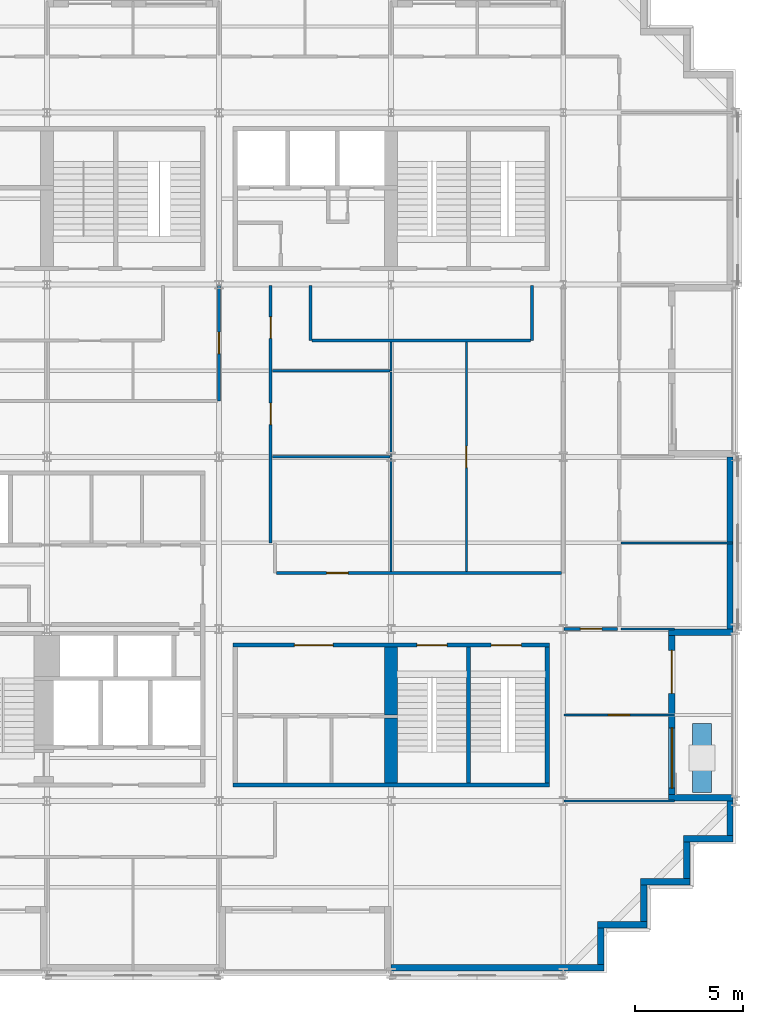
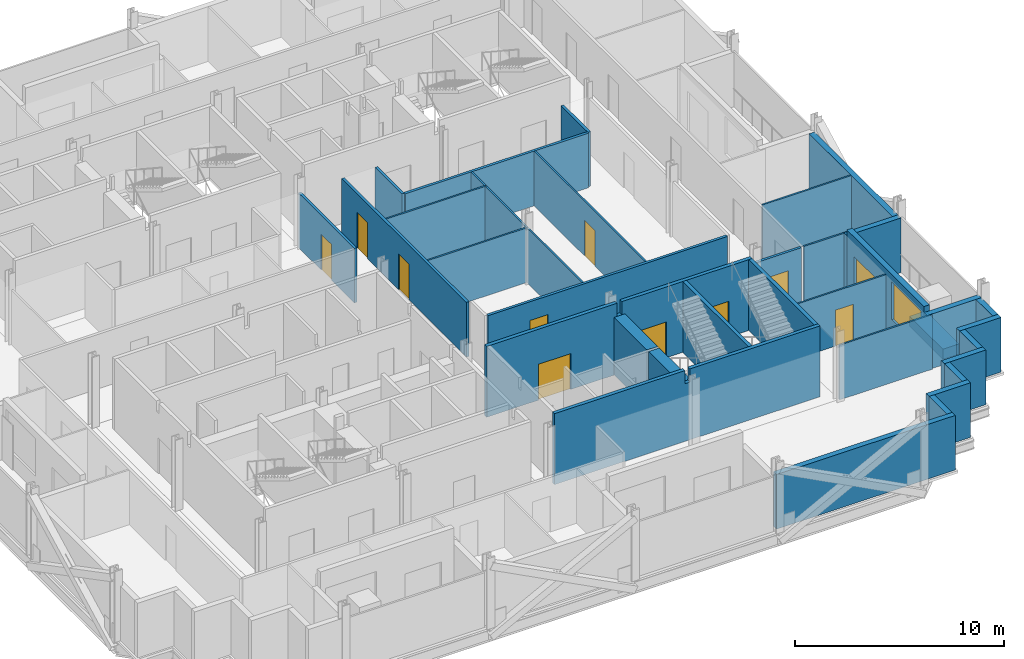
# One storey, part 8 of 15: 36 walls, 11 doors, 1 window, 12 openings.
"""IFC4 building model written with IfcOpenShell, lengths in metres."""

from ifc_helpers import new_model, si_unit, direction, frame, frame_2d, origin, place, context, subcontext, project, spatial, polyline, rectangle, outline, extrude, material, layer, layer_set, type_object, element, fill, save


model = new_model("IFC4")

# Units and contexts
model_context = context("Model", 3, precision=1e-05, world=origin(), true_north=direction((0.0, 1.0)))
body_context = subcontext(model_context, "Body", "Model", "MODEL_VIEW")
ifc_project = project(units=[si_unit("LENGTHUNIT", "METRE"), si_unit("AREAUNIT", "SQUARE_METRE"), si_unit("VOLUMEUNIT", "CUBIC_METRE"), si_unit("PLANEANGLEUNIT", "RADIAN"), si_unit("MASSUNIT", "GRAM", prefix="KILO")], contexts=[model_context])

# Site, building, storey
site_placement = place(None, origin())
site = spatial("IfcSite", under=ifc_project, at=site_placement, CompositionType="ELEMENT")
building_placement = place(site_placement, origin())
building = spatial("IfcBuilding", under=site, at=building_placement, Name="Immortelle Media Tower", CompositionType="ELEMENT")
storey_placement = place(building_placement, frame((0.0, 0.0, 109.60009765625)))
storey = spatial("IfcBuildingStorey", under=building, at=storey_placement, Name="L21", CompositionType="ELEMENT", Elevation=109.60009765625)

# Wall, opening, door
ifc_material_1 = material(Name="Fire-rated gypsum board", Category="gypsum")
ifc_layer_1 = layer(ifc_material_1, 0.012451171875)
ifc_material_2 = material(Name="Steel ASTM A653 SS Gr 50 stud frame with mineral wool", Category="steel")
ifc_layer_2 = layer(ifc_material_2, 0.125)
ifc_layer_3 = layer(ifc_material_1, 0.012451171875)
ifc_layer_set_1 = layer_set([ifc_layer_1, ifc_layer_2, ifc_layer_3], Name="Steel ASTM A653 SS Gr 50 stud frame with mineral wool")
wall_type_1 = type_object("IfcWallType", Name="Corridor wall 150", PredefinedType="PARTITIONING", material=ifc_layer_set_1)
wall_1_placement = place(storey_placement, frame((40.030029296875, 16.0, 0.0), z_axis=(0.0, 0.0, 1.0), x_axis=(1.0, 0.0, 0.0)))
wall_1 = element("IfcWall", 1, at=wall_1_placement, inside=storey, type_object=wall_type_1, Name="Partition L21-012", PredefinedType="PARTITIONING", context=body_context, shape_type="SweptSolid", body=[
    extrude(rectangle(XDim=2.494873046875, YDim=0.14990234375, at=frame_2d((1.24755859375, 0.0))), origin(), (0.0, 0.0, 1.0), 3.19384765625),
])
opening_1_placement = place(wall_1_placement, frame((1.77001953125, 0.0, 0.0), z_axis=(0.0, 0.0, 1.0), x_axis=(-1.0, 0.0, 0.0)))
opening_1 = element("IfcOpeningElement", 2, at=opening_1_placement, cuts=wall_1, Name="Opening N7-F007", PredefinedType="OPENING", context=body_context, shape_type="SweptSolid", body=[
    extrude(rectangle(XDim=1.0, YDim=2.10009765625, at=frame_2d((0.5, 1.050048828125))), frame((0.0, 0.0849609375, 0.0), z_axis=(0.0, -1.0, 0.0), x_axis=(1.0, 0.0, 0.0)), (0.0, 0.0, 1.0), 0.169921875),
])
ifc_material_3 = material(Name="Timber veneered door leaf, galvanised steel frame ASTM A653", Category="steel")
door_type_1 = type_object("IfcDoorType", Name="Room door 1000 x 2100", OperationType="NOTDEFINED", PredefinedType="DOOR", material=ifc_material_3)
door_1_placement = place(opening_1_placement, origin())
door_1 = element("IfcDoor", 3, at=door_1_placement, inside=storey, type_object=door_type_1, Name="Door N7-F007", OperationType="SINGLE_SWING_RIGHT", OverallHeight=2.10009765625, OverallWidth=1.0, PredefinedType="DOOR", context=body_context, shape_type="SweptSolid", body=[
    extrude(rectangle(XDim=1.0, YDim=2.10009765625, at=frame_2d((0.5, 1.050048828125))), frame((0.0, 0.02490234375, 0.0), z_axis=(0.0, -1.0, 0.0), x_axis=(1.0, 0.0, 0.0)), (0.0, 0.0, 1.0), 0.050048828125),
])
fill(opening_1, door_1)

wall_2_placement = place(storey_placement, frame((26.675048828125, 18.60009765625, 0.0), z_axis=(0.0, 0.0, 1.0), x_axis=(1.0, 0.0, 0.0)))
wall_2 = element("IfcWall", 4, at=wall_2_placement, inside=storey, type_object=wall_type_1, Name="Partition L21-015", PredefinedType="PARTITIONING", context=body_context, shape_type="SweptSolid", body=[
    extrude(rectangle(XDim=13.25, YDim=0.14990234375, at=frame_2d((6.625, 0.0))), origin(), (0.0, 0.0, 1.0), 3.19384765625),
])
opening_2_placement = place(wall_2_placement, frame((2.324951171875, 0.0, 0.0)))
opening_2 = element("IfcOpeningElement", 5, at=opening_2_placement, cuts=wall_2, Name="Opening N7-F013", PredefinedType="OPENING", context=body_context, shape_type="SweptSolid", body=[
    extrude(rectangle(XDim=1.0, YDim=2.10009765625, at=frame_2d((0.5, 1.050048828125))), frame((0.0, 0.0849609375, 0.0), z_axis=(0.0, -1.0, 0.0), x_axis=(1.0, 0.0, 0.0)), (0.0, 0.0, 1.0), 0.169921875),
])
door_2_placement = place(opening_2_placement, origin())
door_2 = element("IfcDoor", 6, at=door_2_placement, inside=storey, type_object=door_type_1, Name="Door N7-F013", OperationType="SINGLE_SWING_RIGHT", OverallHeight=2.10009765625, OverallWidth=1.0, PredefinedType="DOOR", context=body_context, shape_type="SweptSolid", body=[
    extrude(rectangle(XDim=1.0, YDim=2.10009765625, at=frame_2d((0.5, 1.050048828125))), frame((0.0, 0.02490234375, 0.0), z_axis=(0.0, -1.0, 0.0), x_axis=(1.0, 0.0, 0.0)), (0.0, 0.0, 1.0), 0.050048828125),
])
fill(opening_2, door_2)

# Wall, openings, doors
wall_3_placement = place(storey_placement, frame((26.39990234375, 20.0, 0.0), z_axis=(0.0, 0.0, 1.0), x_axis=(0.0, 1.0, 0.0)))
wall_3 = element("IfcWall", 7, at=wall_3_placement, inside=storey, type_object=wall_type_1, Name="Partition L21-021", PredefinedType="PARTITIONING", context=body_context, shape_type="SweptSolid", body=[
    extrude(rectangle(XDim=11.969970703125, YDim=0.14990234375, at=frame_2d((5.98486328125, 0.0))), origin(), (0.0, 0.0, 1.0), 3.19384765625),
])
opening_3_placement = place(wall_3_placement, frame((6.5, 0.0, 0.0), z_axis=(0.0, 0.0, 1.0), x_axis=(-1.0, 0.0, 0.0)))
opening_3 = element("IfcOpeningElement", 8, at=opening_3_placement, cuts=wall_3, Name="Opening N7-F016", PredefinedType="OPENING", context=body_context, shape_type="SweptSolid", body=[
    extrude(rectangle(XDim=1.0, YDim=2.10009765625, at=frame_2d((0.5, 1.050048828125))), frame((0.0, 0.0849609375, 0.0), z_axis=(0.0, -1.0, 0.0), x_axis=(1.0, 0.0, 0.0)), (0.0, 0.0, 1.0), 0.169921875),
])
opening_4_placement = place(wall_3_placement, frame((10.5, 0.0, 0.0), z_axis=(0.0, 0.0, 1.0), x_axis=(-1.0, 0.0, 0.0)))
opening_4 = element("IfcOpeningElement", 9, at=opening_4_placement, cuts=wall_3, Name="Opening N7-F017", PredefinedType="OPENING", context=body_context, shape_type="SweptSolid", body=[
    extrude(rectangle(XDim=1.0, YDim=2.10009765625, at=frame_2d((0.5, 1.050048828125))), frame((0.0, 0.0849609375, 0.0), z_axis=(0.0, -1.0, 0.0), x_axis=(1.0, 0.0, 0.0)), (0.0, 0.0, 1.0), 0.169921875),
])
door_3_placement = place(opening_3_placement, origin())
door_3 = element("IfcDoor", 10, at=door_3_placement, inside=storey, type_object=door_type_1, Name="Door N7-F016", OperationType="SINGLE_SWING_LEFT", OverallHeight=2.10009765625, OverallWidth=1.0, PredefinedType="DOOR", context=body_context, shape_type="SweptSolid", body=[
    extrude(rectangle(XDim=1.0, YDim=2.10009765625, at=frame_2d((0.5, 1.050048828125))), frame((0.0, 0.02490234375, 0.0), z_axis=(0.0, -1.0, 0.0), x_axis=(1.0, 0.0, 0.0)), (0.0, 0.0, 1.0), 0.050048828125),
])
fill(opening_3, door_3)
door_4_placement = place(opening_4_placement, origin())
door_4 = element("IfcDoor", 11, at=door_4_placement, inside=storey, type_object=door_type_1, Name="Door N7-F017", OperationType="SINGLE_SWING_LEFT", OverallHeight=2.10009765625, OverallWidth=1.0, PredefinedType="DOOR", context=body_context, shape_type="SweptSolid", body=[
    extrude(rectangle(XDim=1.0, YDim=2.10009765625, at=frame_2d((0.5, 1.050048828125))), frame((0.0, 0.02490234375, 0.0), z_axis=(0.0, -1.0, 0.0), x_axis=(1.0, 0.0, 0.0)), (0.0, 0.0, 1.0), 0.050048828125),
])
fill(opening_4, door_4)

# Wall, opening, door
wall_4_placement = place(storey_placement, frame((24.0, 26.60009765625, 0.0), z_axis=(0.0, 0.0, 1.0), x_axis=(0.0, 1.0, 0.0)))
wall_4 = element("IfcWall", 12, at=wall_4_placement, inside=storey, type_object=wall_type_1, Name="Partition L21-031", PredefinedType="PARTITIONING", context=body_context, shape_type="SweptSolid", body=[
    extrude(rectangle(XDim=5.369873046875, YDim=0.14990234375, at=frame_2d((2.68505859375, 0.0))), origin(), (0.0, 0.0, 1.0), 3.19384765625),
])
opening_5_placement = place(wall_4_placement, frame((2.199951171875, 0.0, 0.0)))
opening_5 = element("IfcOpeningElement", 13, at=opening_5_placement, cuts=wall_4, Name="Opening N7-F020", PredefinedType="OPENING", context=body_context, shape_type="SweptSolid", body=[
    extrude(rectangle(XDim=1.0, YDim=2.10009765625, at=frame_2d((0.5, 1.050048828125))), frame((0.0, 0.0849609375, 0.0), z_axis=(0.0, -1.0, 0.0), x_axis=(1.0, 0.0, 0.0)), (0.0, 0.0, 1.0), 0.169921875),
])
door_5_placement = place(opening_5_placement, origin())
door_5 = element("IfcDoor", 14, at=door_5_placement, inside=storey, type_object=door_type_1, Name="Door N7-F020", OperationType="SINGLE_SWING_RIGHT", OverallHeight=2.10009765625, OverallWidth=1.0, PredefinedType="DOOR", context=body_context, shape_type="SweptSolid", body=[
    extrude(rectangle(XDim=1.0, YDim=2.10009765625, at=frame_2d((0.5, 1.050048828125))), frame((0.0, 0.02490234375, 0.0), z_axis=(0.0, -1.0, 0.0), x_axis=(1.0, 0.0, 0.0)), (0.0, 0.0, 1.0), 0.050048828125),
])
fill(opening_5, door_5)

# Walls
wall_5_placement = place(storey_placement, frame((28.324951171875, 29.39990234375, 0.0), z_axis=(0.0, 0.0, 1.0), x_axis=(1.0, 0.0, 0.0)))
element("IfcWall", 15, at=wall_5_placement, inside=storey, type_object=wall_type_1, Name="Partition L21-037", PredefinedType="PARTITIONING", context=body_context, shape_type="SweptSolid", body=[
    extrude(rectangle(XDim=10.150146484375, YDim=0.14990234375, at=frame_2d((5.0751953125, 0.0))), origin(), (0.0, 0.0, 1.0), 3.19384765625),
])
for number, where, z_axis, x_axis, name in (
    (16, (28.25, 29.39990234375, 0.0), (0.0, 0.0, 1.0), (0.0, 1.0, 0.0), "Partition L21-038"),
    (17, (38.550048828125, 29.39990234375, 0.0), (0.0, 0.0, 1.0), (0.0, 1.0, 0.0), "Partition L21-039"),
):
    element("IfcWall", number, at=place(storey_placement, frame(where, z_axis=z_axis, x_axis=x_axis)), inside=storey, type_object=wall_type_1, Name=name, PredefinedType="PARTITIONING", context=body_context, shape_type="SweptSolid", body=[
        extrude(rectangle(XDim=2.570068359375, YDim=0.14990234375, at=frame_2d((1.28515625, 0.0))), origin(), (0.0, 0.0, 1.0), 3.19384765625),
    ])
ifc_material_4 = material(Name="Pale aluminium cladding panel", Category="aluminium")
ifc_layer_4 = layer(ifc_material_4, 0.030029296875)
ifc_layer_5 = layer(ifc_material_2, 0.257568359375)
ifc_material_5 = material(Name="Moisture-resistant gypsum board", Category="gypsum")
ifc_layer_6 = layer(ifc_material_5, 0.012451171875)
ifc_layer_set_2 = layer_set([ifc_layer_4, ifc_layer_5, ifc_layer_6], Name="Steel ASTM A653 SS Gr 50 stud frame with mineral wool")
wall_type_2 = type_object("IfcWallType", Name="Facade wall 300", PredefinedType="SOLIDWALL", material=ifc_layer_set_2)
wall_6_placement = place(storey_placement, frame((32.0, 0.25, 0.0), z_axis=(0.0, 0.0, 1.0), x_axis=(1.0, 0.0, 0.0)))
element("IfcWall", 18, at=wall_6_placement, inside=storey, type_object=wall_type_2, Name="Facade wall L21 S7", PredefinedType="SOLIDWALL", context=body_context, shape_type="SweptSolid", body=[
    extrude(rectangle(XDim=9.89990234375, YDim=0.300048828125, at=frame_2d((4.949951171875, 0.0))), origin(), (0.0, 0.0, 1.0), 3.198974609375),
])
wall_7_placement = place(storey_placement, frame((41.75, 0.39990234375, 0.0), z_axis=(0.0, 0.0, 1.0), x_axis=(0.0, 1.0, 0.0)))
element("IfcWall", 19, at=wall_7_placement, inside=storey, type_object=wall_type_2, Name="Facade wall L21 E8", PredefinedType="SOLIDWALL", context=body_context, shape_type="SweptSolid", body=[
    extrude(rectangle(XDim=1.7001953125, YDim=0.300048828125, at=frame_2d((0.85009765625, 0.0))), origin(), (0.0, 0.0, 1.0), 3.198974609375),
])
wall_8_placement = place(storey_placement, frame((41.60009765625, 2.25, 0.0), z_axis=(0.0, 0.0, 1.0), x_axis=(1.0, 0.0, 0.0)))
element("IfcWall", 20, at=wall_8_placement, inside=storey, type_object=wall_type_2, Name="Facade wall L21 S9", PredefinedType="SOLIDWALL", context=body_context, shape_type="SweptSolid", body=[
    extrude(rectangle(XDim=2.2998046875, YDim=0.300048828125, at=frame_2d((1.14990234375, 0.0))), origin(), (0.0, 0.0, 1.0), 3.198974609375),
])
wall_9_placement = place(storey_placement, frame((43.75, 2.39990234375, 0.0), z_axis=(0.0, 0.0, 1.0), x_axis=(0.0, 1.0, 0.0)))
element("IfcWall", 21, at=wall_9_placement, inside=storey, type_object=wall_type_2, Name="Facade wall L21 E10", PredefinedType="SOLIDWALL", context=body_context, shape_type="SweptSolid", body=[
    extrude(rectangle(XDim=1.7001953125, YDim=0.300048828125, at=frame_2d((0.85009765625, 0.0))), origin(), (0.0, 0.0, 1.0), 3.198974609375),
])
wall_10_placement = place(storey_placement, frame((43.60009765625, 4.25, 0.0), z_axis=(0.0, 0.0, 1.0), x_axis=(1.0, 0.0, 0.0)))
element("IfcWall", 22, at=wall_10_placement, inside=storey, type_object=wall_type_2, Name="Facade wall L21 S11", PredefinedType="SOLIDWALL", context=body_context, shape_type="SweptSolid", body=[
    extrude(rectangle(XDim=2.2998046875, YDim=0.300048828125, at=frame_2d((1.14990234375, 0.0))), origin(), (0.0, 0.0, 1.0), 3.198974609375),
])
wall_11_placement = place(storey_placement, frame((45.75, 4.39990234375, 0.0), z_axis=(0.0, 0.0, 1.0), x_axis=(0.0, 1.0, 0.0)))
element("IfcWall", 23, at=wall_11_placement, inside=storey, type_object=wall_type_2, Name="Facade wall L21 E12", PredefinedType="SOLIDWALL", context=body_context, shape_type="SweptSolid", body=[
    extrude(rectangle(XDim=1.7001953125, YDim=0.300048828125, at=frame_2d((0.85009765625, 0.0))), origin(), (0.0, 0.0, 1.0), 3.198974609375),
])
wall_12_placement = place(storey_placement, frame((45.60009765625, 6.25, 0.0), z_axis=(0.0, 0.0, 1.0), x_axis=(1.0, 0.0, 0.0)))
element("IfcWall", 24, at=wall_12_placement, inside=storey, type_object=wall_type_2, Name="Facade wall L21 S13", PredefinedType="SOLIDWALL", context=body_context, shape_type="SweptSolid", body=[
    extrude(rectangle(XDim=2.2998046875, YDim=0.300048828125, at=frame_2d((1.14990234375, 0.0))), origin(), (0.0, 0.0, 1.0), 3.198974609375),
])
wall_13_placement = place(storey_placement, frame((47.75, 6.39990234375, 0.0), z_axis=(0.0, 0.0, 1.0), x_axis=(0.0, 1.0, 0.0)))
element("IfcWall", 25, at=wall_13_placement, inside=storey, type_object=wall_type_2, Name="Facade wall L21 E14", PredefinedType="SOLIDWALL", context=body_context, shape_type="SweptSolid", body=[
    extrude(rectangle(XDim=1.60009765625, YDim=0.300048828125, at=frame_2d((0.800048828125, 0.0))), origin(), (0.0, 0.0, 1.0), 3.198974609375),
])

# Wall, openings, door, window
wall_14_placement = place(storey_placement, frame((45.050048828125, 8.300048828125, 0.0), z_axis=(0.0, 0.0, 1.0), x_axis=(0.0, 1.0, 0.0)))
wall_14 = element("IfcWall", 26, at=wall_14_placement, inside=storey, type_object=wall_type_2, Name="Loggia wall L21 E14", PredefinedType="SOLIDWALL", context=body_context, shape_type="SweptSolid", body=[
    extrude(rectangle(XDim=7.39990234375, YDim=0.300048828125, at=frame_2d((3.699951171875, 0.0))), origin(), (0.0, 0.0, 1.0), 3.546875),
])
opening_6_placement = place(wall_14_placement, frame((0.300048828125, 0.0, 0.89990234375)))
opening_6 = element("IfcOpeningElement", 27, at=opening_6_placement, cuts=wall_14, Name="Opening W1", PredefinedType="OPENING", context=body_context, shape_type="SweptSolid", body=[
    extrude(rectangle(XDim=2.800048828125, YDim=2.199951171875, at=frame_2d((1.39990234375, 1.10009765625))), frame((0.0, 0.159912109375, 0.0), z_axis=(0.0, -1.0, 0.0), x_axis=(1.0, 0.0, 0.0)), (0.0, 0.0, 1.0), 0.320068359375),
])
opening_7_placement = place(wall_14_placement, frame((4.699951171875, 0.0, 0.0)))
opening_7 = element("IfcOpeningElement", 28, at=opening_7_placement, cuts=wall_14, Name="Opening N7-E005", PredefinedType="OPENING", context=body_context, shape_type="SweptSolid", body=[
    extrude(rectangle(XDim=2.0, YDim=2.39990234375, at=frame_2d((1.0, 1.199951171875))), frame((0.0, 0.159912109375, 0.0), z_axis=(0.0, -1.0, 0.0), x_axis=(1.0, 0.0, 0.0)), (0.0, 0.0, 1.0), 0.320068359375),
])
ifc_material_6 = material(Name="Aluminium frame, glazed leaves", Category="aluminium")
door_type_2 = type_object("IfcDoorType", Name="Loggia door 2000 x 2400", OperationType="DOUBLE_DOOR_SINGLE_SWING", PredefinedType="DOOR", material=ifc_material_6)
door_6_placement = place(opening_7_placement, origin())
door_6 = element("IfcDoor", 29, at=door_6_placement, inside=storey, type_object=door_type_2, Name="Door N7-E005", OperationType="DOUBLE_DOOR_SINGLE_SWING", OverallHeight=2.39990234375, OverallWidth=2.0, PredefinedType="DOOR", context=body_context, shape_type="SweptSolid", body=[
    extrude(rectangle(XDim=2.0, YDim=2.39990234375, at=frame_2d((1.0, 1.199951171875))), frame((0.0, 0.02490234375, 0.0), z_axis=(0.0, -1.0, 0.0), x_axis=(1.0, 0.0, 0.0)), (0.0, 0.0, 1.0), 0.050048828125),
])
fill(opening_7, door_6)
ifc_material_7 = material(Name="Aluminium frame", Category="aluminium")
window_type = type_object("IfcWindowType", Name="Window 2800 x 2200", PartitioningType="SINGLE_PANEL", PredefinedType="WINDOW", material=ifc_material_7)
window_placement = place(opening_6_placement, origin())
window = element("IfcWindow", 30, at=window_placement, inside=storey, type_object=window_type, Name="Window L21 L21-R14-B0", OverallHeight=2.199951171875, OverallWidth=2.800048828125, PartitioningType="SINGLE_PANEL", PredefinedType="WINDOW", context=body_context, shape_type="SweptSolid", body=[
    extrude(rectangle(XDim=2.800048828125, YDim=2.199951171875, at=frame_2d((1.39990234375, 1.10009765625))), frame((0.0, 0.030029296875, 0.0), z_axis=(0.0, -1.0, 0.0), x_axis=(1.0, 0.0, 0.0)), (0.0, 0.0, 1.0), 0.06005859375),
])
fill(opening_6, window)

# Walls
for number, where, z_axis, x_axis, name in (
    (31, (47.89990234375, 8.14990234375, 0.0), (0.0, 0.0, 1.0), (-1.0, 0.0, 0.0), "Loggia cheek wall L21 E"),
    (32, (47.89990234375, 15.85009765625, 0.0), (0.0, 0.0, 1.0), (-1.0, 0.0, 0.0), "Loggia cheek wall L21 E"),
):
    element("IfcWall", number, at=place(storey_placement, frame(where, z_axis=z_axis, x_axis=x_axis)), inside=storey, type_object=wall_type_2, Name=name, PredefinedType="SOLIDWALL", context=body_context, shape_type="SweptSolid", body=[
        extrude(rectangle(XDim=3.0, YDim=0.300048828125, at=frame_2d((1.5, 0.0))), origin(), (0.0, 0.0, 1.0), 3.198974609375),
    ])
wall_15_placement = place(storey_placement, frame((47.75, 16.0, 0.0), z_axis=(0.0, 0.0, 1.0), x_axis=(0.0, 1.0, 0.0)))
element("IfcWall", 33, at=wall_15_placement, inside=storey, type_object=wall_type_2, Name="Facade wall L21 E14", PredefinedType="SOLIDWALL", context=body_context, shape_type="SweptSolid", body=[
    extrude(rectangle(XDim=8.0, YDim=0.300048828125, at=frame_2d((4.0, 0.0))), origin(), (0.0, 0.0, 1.0), 3.198974609375),
])
ifc_material_8 = material(Name="Gypsum board", Category="gypsum")
ifc_layer_7 = layer(ifc_material_8, 0.012451171875)
ifc_layer_8 = layer(ifc_material_2, 0.074951171875)
ifc_layer_9 = layer(ifc_material_8, 0.012451171875)
ifc_layer_set_3 = layer_set([ifc_layer_7, ifc_layer_8, ifc_layer_9], Name="Steel ASTM A653 SS Gr 50 stud frame with mineral wool")
wall_type_3 = type_object("IfcWallType", Name="Partition 100", PredefinedType="PARTITIONING", material=ifc_layer_set_3)
wall_16_placement = place(storey_placement, frame((40.030029296875, 8.0, 0.0), z_axis=(0.0, 0.0, 1.0), x_axis=(1.0, 0.0, 0.0)))
element("IfcWall", 34, at=wall_16_placement, inside=storey, type_object=wall_type_3, Name="Partition L21-009", PredefinedType="PARTITIONING", context=body_context, shape_type="SweptSolid", body=[
    extrude(rectangle(XDim=5.139892578125, YDim=0.10009765625, at=frame_2d((2.56982421875, 0.0))), origin(), (0.0, 0.0, 1.0), 3.19384765625),
])

# Wall, opening, door
wall_17_placement = place(storey_placement, frame((40.030029296875, 12.0, 0.0), z_axis=(0.0, 0.0, 1.0), x_axis=(1.0, 0.0, 0.0)))
wall_17 = element("IfcWall", 35, at=wall_17_placement, inside=storey, type_object=wall_type_3, Name="Partition L21-010", PredefinedType="PARTITIONING", context=body_context, shape_type="SweptSolid", body=[
    extrude(rectangle(XDim=5.139892578125, YDim=0.10009765625, at=frame_2d((2.56982421875, 0.0))), origin(), (0.0, 0.0, 1.0), 3.19384765625),
])
opening_8_placement = place(wall_17_placement, frame((3.070068359375, 0.0, 0.0), z_axis=(0.0, 0.0, 1.0), x_axis=(-1.0, 0.0, 0.0)))
opening_8 = element("IfcOpeningElement", 36, at=opening_8_placement, cuts=wall_17, Name="Opening N7-F008", PredefinedType="OPENING", context=body_context, shape_type="SweptSolid", body=[
    extrude(rectangle(XDim=1.0, YDim=2.10009765625, at=frame_2d((0.5, 1.050048828125))), frame((0.0, 0.06005859375, 0.0), z_axis=(0.0, -1.0, 0.0), x_axis=(1.0, 0.0, 0.0)), (0.0, 0.0, 1.0), 0.1201171875),
])
door_7_placement = place(opening_8_placement, origin())
door_7 = element("IfcDoor", 37, at=door_7_placement, inside=storey, type_object=door_type_1, Name="Door N7-F008", OperationType="SINGLE_SWING_RIGHT", OverallHeight=2.10009765625, OverallWidth=1.0, PredefinedType="DOOR", context=body_context, shape_type="SweptSolid", body=[
    extrude(rectangle(XDim=1.0, YDim=2.10009765625, at=frame_2d((0.5, 1.050048828125))), frame((0.0, 0.02490234375, 0.0), z_axis=(0.0, -1.0, 0.0), x_axis=(1.0, 0.0, 0.0)), (0.0, 0.0, 1.0), 0.050048828125),
])
fill(opening_8, door_7)

# Walls
wall_18_placement = place(storey_placement, frame((42.675048828125, 16.0, 0.0), z_axis=(0.0, 0.0, 1.0), x_axis=(1.0, 0.0, 0.0)))
element("IfcWall", 38, at=wall_18_placement, inside=storey, type_object=wall_type_3, Name="Partition L21-013", PredefinedType="PARTITIONING", context=body_context, shape_type="SweptSolid", body=[
    extrude(rectangle(XDim=2.494873046875, YDim=0.10009765625, at=frame_2d((1.24755859375, 0.0))), origin(), (0.0, 0.0, 1.0), 3.19384765625),
])
wall_19_placement = place(storey_placement, frame((32.0, 18.675048828125, 0.0), z_axis=(0.0, 0.0, 1.0), x_axis=(0.0, 1.0, 0.0)))
element("IfcWall", 39, at=wall_19_placement, inside=storey, type_object=wall_type_3, Name="Partition L21-017", PredefinedType="PARTITIONING", context=body_context, shape_type="SweptSolid", body=[
    extrude(rectangle(XDim=5.27490234375, YDim=0.10009765625, at=frame_2d((2.637451171875, 0.0))), origin(), (0.0, 0.0, 1.0), 3.19384765625),
])

# Wall, opening, door
wall_20_placement = place(storey_placement, frame((35.5, 18.675048828125, 0.0), z_axis=(0.0, 0.0, 1.0), x_axis=(0.0, 1.0, 0.0)))
wall_20 = element("IfcWall", 40, at=wall_20_placement, inside=storey, type_object=wall_type_3, Name="Partition L21-018", PredefinedType="PARTITIONING", context=body_context, shape_type="SweptSolid", body=[
    extrude(rectangle(XDim=10.64990234375, YDim=0.10009765625, at=frame_2d((5.324951171875, 0.0))), origin(), (0.0, 0.0, 1.0), 3.19384765625),
])
opening_9_placement = place(wall_20_placement, frame((5.824951171875, 0.0, 0.0), z_axis=(0.0, 0.0, 1.0), x_axis=(-1.0, 0.0, 0.0)))
opening_9 = element("IfcOpeningElement", 41, at=opening_9_placement, cuts=wall_20, Name="Opening N7-F015", PredefinedType="OPENING", context=body_context, shape_type="SweptSolid", body=[
    extrude(rectangle(XDim=1.0, YDim=2.10009765625, at=frame_2d((0.5, 1.050048828125))), frame((0.0, 0.06005859375, 0.0), z_axis=(0.0, -1.0, 0.0), x_axis=(1.0, 0.0, 0.0)), (0.0, 0.0, 1.0), 0.1201171875),
])
door_8_placement = place(opening_9_placement, origin())
door_8 = element("IfcDoor", 42, at=door_8_placement, inside=storey, type_object=door_type_1, Name="Door N7-F015", OperationType="SINGLE_SWING_RIGHT", OverallHeight=2.10009765625, OverallWidth=1.0, PredefinedType="DOOR", context=body_context, shape_type="SweptSolid", body=[
    extrude(rectangle(XDim=1.0, YDim=2.10009765625, at=frame_2d((0.5, 1.050048828125))), frame((0.0, 0.02490234375, 0.0), z_axis=(0.0, -1.0, 0.0), x_axis=(1.0, 0.0, 0.0)), (0.0, 0.0, 1.0), 0.050048828125),
])
fill(opening_9, door_8)

# Walls
wall_21_placement = place(storey_placement, frame((42.675048828125, 20.0, 0.0), z_axis=(0.0, 0.0, 1.0), x_axis=(1.0, 0.0, 0.0)))
element("IfcWall", 43, at=wall_21_placement, inside=storey, type_object=wall_type_3, Name="Partition L21-022", PredefinedType="PARTITIONING", context=body_context, shape_type="SweptSolid", body=[
    extrude(rectangle(XDim=5.195068359375, YDim=0.10009765625, at=frame_2d((2.59765625, 0.0))), origin(), (0.0, 0.0, 1.0), 3.19384765625),
])
wall_22_placement = place(storey_placement, frame((26.47509765625, 24.0, 0.0), z_axis=(0.0, 0.0, 1.0), x_axis=(1.0, 0.0, 0.0)))
element("IfcWall", 44, at=wall_22_placement, inside=storey, type_object=wall_type_3, Name="Partition L21-024", PredefinedType="PARTITIONING", context=body_context, shape_type="SweptSolid", body=[
    extrude(rectangle(XDim=5.474853515625, YDim=0.10009765625, at=frame_2d((2.7373046875, 0.0))), origin(), (0.0, 0.0, 1.0), 3.19384765625),
])
wall_23_placement = place(storey_placement, frame((32.0, 24.0, 0.0), z_axis=(0.0, 0.0, 1.0), x_axis=(0.0, 1.0, 0.0)))
element("IfcWall", 45, at=wall_23_placement, inside=storey, type_object=wall_type_3, Name="Partition L21-025", PredefinedType="PARTITIONING", context=body_context, shape_type="SweptSolid", body=[
    extrude(rectangle(XDim=3.949951171875, YDim=0.10009765625, at=frame_2d((1.97509765625, 0.0))), origin(), (0.0, 0.0, 1.0), 3.19384765625),
])
wall_24_placement = place(storey_placement, frame((26.47509765625, 28.0, 0.0), z_axis=(0.0, 0.0, 1.0), x_axis=(1.0, 0.0, 0.0)))
element("IfcWall", 46, at=wall_24_placement, inside=storey, type_object=wall_type_3, Name="Partition L21-032", PredefinedType="PARTITIONING", context=body_context, shape_type="SweptSolid", body=[
    extrude(rectangle(XDim=5.474853515625, YDim=0.10009765625, at=frame_2d((2.7373046875, 0.0))), origin(), (0.0, 0.0, 1.0), 3.19384765625),
])
wall_25_placement = place(storey_placement, frame((32.0, 28.0, 0.0), z_axis=(0.0, 0.0, 1.0), x_axis=(0.0, 1.0, 0.0)))
element("IfcWall", 47, at=wall_25_placement, inside=storey, type_object=wall_type_3, Name="Partition L21-033", PredefinedType="PARTITIONING", context=body_context, shape_type="SweptSolid", body=[
    extrude(rectangle(XDim=1.324951171875, YDim=0.10009765625, at=frame_2d((0.66259765625, 0.0))), origin(), (0.0, 0.0, 1.0), 3.19384765625),
])
ifc_layer_10 = layer(ifc_material_4, 0.0029296875)
ifc_material_9 = material(Name="Steel ASTM A572 Gr 50 planter shell", Category="steel")
ifc_layer_11 = layer(ifc_material_9, 0.011962890625)
ifc_material_10 = material(Name="Planting substrate", Category="soil")
ifc_layer_12 = layer(ifc_material_10, 0.873046875)
ifc_layer_13 = layer(ifc_material_9, 0.011962890625)
ifc_layer_set_4 = layer_set([ifc_layer_10, ifc_layer_11, ifc_layer_12, ifc_layer_13], Name="Steel ASTM A572 Gr 50 planter shell")
wall_type_4 = type_object("IfcWallType", Name="Planter wall 900", PredefinedType="SOLIDWALL", material=ifc_layer_set_4)
wall_26_placement = place(storey_placement, frame((46.449951171875, 8.39990234375, 0.0), z_axis=(0.0, 0.0, 1.0), x_axis=(0.0, 1.0, 0.0)))
element("IfcWall", 48, at=wall_26_placement, inside=storey, type_object=wall_type_4, Name="Planter L21 E0", PredefinedType="SOLIDWALL", context=body_context, shape_type="SweptSolid", body=[
    extrude(rectangle(XDim=3.2001953125, YDim=0.89990234375, at=frame_2d((1.60009765625, 0.0))), origin(), (0.0, 0.0, 1.0), 0.599853515625),
])
ifc_material_11 = material(Name="Concrete C60", Category="concrete")
ifc_layer_14 = layer(ifc_material_11, 0.199951171875)
ifc_layer_set_5 = layer_set([ifc_layer_14], Name="Concrete C60")
wall_type_5 = type_object("IfcWallType", Name="Stair shaft wall 200", PredefinedType="PARTITIONING", material=ifc_layer_set_5)
wall_27_placement = place(storey_placement, frame((24.64990234375, 8.75, 0.0), z_axis=(0.0, 0.0, 1.0), x_axis=(1.0, 0.0, 0.0)))
element("IfcWall", 49, at=wall_27_placement, inside=storey, type_object=wall_type_5, Name="Stair shaft wall SE", PredefinedType="PARTITIONING", context=body_context, shape_type="SweptSolid", body=[
    extrude(outline(polyline([(0.0, 0.0), (14.7001953125, 0.0), (14.699951171875, 4.14990234375), (7.488525390625, 4.14990234375), (7.487548828125, 3.3818359375), (7.21240234375, 3.3818359375), (7.21142578125, 4.14990234375), (0.0, 4.14990234375), (0.0, 0.0)])), frame((0.0, 0.10009765625, 0.0), z_axis=(0.0, -1.0, 0.0), x_axis=(1.0, 0.0, 0.0)), (0.0, 0.0, 1.0), 0.199951171875),
])

# Wall, openings, doors
wall_28_placement = place(storey_placement, frame((24.64990234375, 15.25, 0.0), z_axis=(0.0, 0.0, 1.0), x_axis=(1.0, 0.0, 0.0)))
wall_28 = element("IfcWall", 50, at=wall_28_placement, inside=storey, type_object=wall_type_5, Name="Stair shaft wall SE", PredefinedType="PARTITIONING", context=body_context, shape_type="SweptSolid", body=[
    extrude(outline(polyline([(0.0, 0.0), (14.7001953125, 0.0), (14.699951171875, 4.14990234375), (7.488525390625, 4.14990234375), (7.487548828125, 3.3818359375), (7.21240234375, 3.3818359375), (7.21142578125, 4.14990234375), (0.0, 4.14990234375), (0.0, 0.0)])), frame((0.0, 0.10009765625, 0.0), z_axis=(0.0, -1.0, 0.0), x_axis=(1.0, 0.0, 0.0)), (0.0, 0.0, 1.0), 0.199951171875),
])
opening_10_placement = place(wall_28_placement, frame((2.85009765625, 0.0, 0.0)))
opening_10 = element("IfcOpeningElement", 51, at=opening_10_placement, cuts=wall_28, Name="Opening N7-K017", PredefinedType="OPENING", context=body_context, shape_type="SweptSolid", body=[
    extrude(rectangle(XDim=1.800048828125, YDim=2.10009765625, at=frame_2d((0.89990234375, 1.050048828125))), frame((0.0, 0.10986328125, 0.0), z_axis=(0.0, -1.0, 0.0), x_axis=(1.0, 0.0, 0.0)), (0.0, 0.0, 1.0), 0.219970703125),
])
opening_11_placement = place(wall_28_placement, frame((9.949951171875, 0.0, 0.0), z_axis=(0.0, 0.0, 1.0), x_axis=(-1.0, 0.0, 0.0)))
opening_11 = element("IfcOpeningElement", 52, at=opening_11_placement, cuts=wall_28, Name="Opening N7-K019", PredefinedType="OPENING", context=body_context, shape_type="SweptSolid", body=[
    extrude(rectangle(XDim=1.39990234375, YDim=2.10009765625, at=frame_2d((0.699951171875, 1.050048828125))), frame((0.0, 0.10986328125, 0.0), z_axis=(0.0, -1.0, 0.0), x_axis=(1.0, 0.0, 0.0)), (0.0, 0.0, 1.0), 0.219970703125),
])
opening_12_placement = place(wall_28_placement, frame((13.39990234375, 0.0, 0.0), z_axis=(0.0, 0.0, 1.0), x_axis=(-1.0, 0.0, 0.0)))
opening_12 = element("IfcOpeningElement", 53, at=opening_12_placement, cuts=wall_28, Name="Opening N7-K020", PredefinedType="OPENING", context=body_context, shape_type="SweptSolid", body=[
    extrude(rectangle(XDim=1.39990234375, YDim=2.10009765625, at=frame_2d((0.699951171875, 1.050048828125))), frame((0.0, 0.10986328125, 0.0), z_axis=(0.0, -1.0, 0.0), x_axis=(1.0, 0.0, 0.0)), (0.0, 0.0, 1.0), 0.219970703125),
])
ifc_material_12 = material(Name="Galvanised steel door leaf and frame ASTM A653", Category="steel")
door_type_3 = type_object("IfcDoorType", Name="Lift lobby door 1800 x 2100", OperationType="DOUBLE_DOOR_SINGLE_SWING", PredefinedType="NOTDEFINED", material=ifc_material_12)
door_9_placement = place(opening_10_placement, origin())
door_9 = element("IfcDoor", 54, at=door_9_placement, inside=storey, type_object=door_type_3, Name="Lift lobby N7-K017", OperationType="DOUBLE_DOOR_SINGLE_SWING", OverallHeight=2.10009765625, OverallWidth=1.800048828125, PredefinedType="NOTDEFINED", context=body_context, shape_type="SweptSolid", body=[
    extrude(rectangle(XDim=1.800048828125, YDim=2.10009765625, at=frame_2d((0.89990234375, 1.050048828125))), frame((0.0, 0.02490234375, 0.0), z_axis=(0.0, -1.0, 0.0), x_axis=(1.0, 0.0, 0.0)), (0.0, 0.0, 1.0), 0.050048828125),
])
fill(opening_10, door_9)
door_type_4 = type_object("IfcDoorType", Name="Stair door 1400 x 2100", OperationType="DOUBLE_DOOR_SINGLE_SWING", PredefinedType="NOTDEFINED", material=ifc_material_12)
door_10_placement = place(opening_11_placement, origin())
door_10 = element("IfcDoor", 55, at=door_10_placement, inside=storey, type_object=door_type_4, Name="Stair N7-K019", OperationType="DOUBLE_DOOR_SINGLE_SWING", OverallHeight=2.10009765625, OverallWidth=1.39990234375, PredefinedType="NOTDEFINED", context=body_context, shape_type="SweptSolid", body=[
    extrude(rectangle(XDim=1.39990234375, YDim=2.10009765625, at=frame_2d((0.699951171875, 1.050048828125))), frame((0.0, 0.02490234375, 0.0), z_axis=(0.0, -1.0, 0.0), x_axis=(1.0, 0.0, 0.0)), (0.0, 0.0, 1.0), 0.050048828125),
])
fill(opening_11, door_10)
door_11_placement = place(opening_12_placement, origin())
door_11 = element("IfcDoor", 56, at=door_11_placement, inside=storey, type_object=door_type_4, Name="Stair N7-K020", OperationType="DOUBLE_DOOR_SINGLE_SWING", OverallHeight=2.10009765625, OverallWidth=1.39990234375, PredefinedType="NOTDEFINED", context=body_context, shape_type="SweptSolid", body=[
    extrude(rectangle(XDim=1.39990234375, YDim=2.10009765625, at=frame_2d((0.699951171875, 1.050048828125))), frame((0.0, 0.02490234375, 0.0), z_axis=(0.0, -1.0, 0.0), x_axis=(1.0, 0.0, 0.0)), (0.0, 0.0, 1.0), 0.050048828125),
])
fill(opening_12, door_11)

# Walls
for number, where, z_axis, x_axis, name in (
    (57, (35.60009765625, 8.85009765625, 0.0), (0.0, 0.0, 1.0), (0.0, 1.0, 0.0), "Stair shaft wall SE"),
    (58, (39.25, 8.85009765625, 0.0), (0.0, 0.0, 1.0), (0.0, 1.0, 0.0), "Stair shaft wall SE"),
):
    element("IfcWall", number, at=place(storey_placement, frame(where, z_axis=z_axis, x_axis=x_axis)), inside=storey, type_object=wall_type_5, Name=name, PredefinedType="PARTITIONING", context=body_context, shape_type="SweptSolid", body=[
        extrude(rectangle(XDim=6.2998046875, YDim=0.199951171875, at=frame_2d((3.14990234375, 0.0))), origin(), (0.0, 0.0, 1.0), 4.14990234375),
    ])
ifc_layer_15 = layer(ifc_material_11, 0.60009765625)
ifc_layer_set_6 = layer_set([ifc_layer_15], Name="Concrete C60")
wall_type_6 = type_object("IfcWallType", Name="Stair shaft wall 600", PredefinedType="PARTITIONING", material=ifc_layer_set_6)
wall_29_placement = place(storey_placement, frame((32.0, 8.85009765625, 0.0), z_axis=(0.0, 0.0, 1.0), x_axis=(0.0, 1.0, 0.0)))
element("IfcWall", 59, at=wall_29_placement, inside=storey, type_object=wall_type_6, Name="Stair shaft wall SE", PredefinedType="PARTITIONING", context=body_context, shape_type="SweptSolid", body=[
    extrude(rectangle(XDim=3.0, YDim=0.60009765625, at=frame_2d((1.5, 0.0))), origin(), (0.0, 0.0, 1.0), 3.3818359375),
])
wall_30_placement = place(storey_placement, frame((32.0, 12.0, 0.0), z_axis=(0.0, 0.0, 1.0), x_axis=(0.0, 1.0, 0.0)))
element("IfcWall", 60, at=wall_30_placement, inside=storey, type_object=wall_type_6, Name="Stair shaft wall SE", PredefinedType="PARTITIONING", context=body_context, shape_type="SweptSolid", body=[
    extrude(rectangle(XDim=3.14990234375, YDim=0.60009765625, at=frame_2d((1.574951171875, 0.0))), origin(), (0.0, 0.0, 1.0), 3.3818359375),
])

save(model, "model.ifc")
